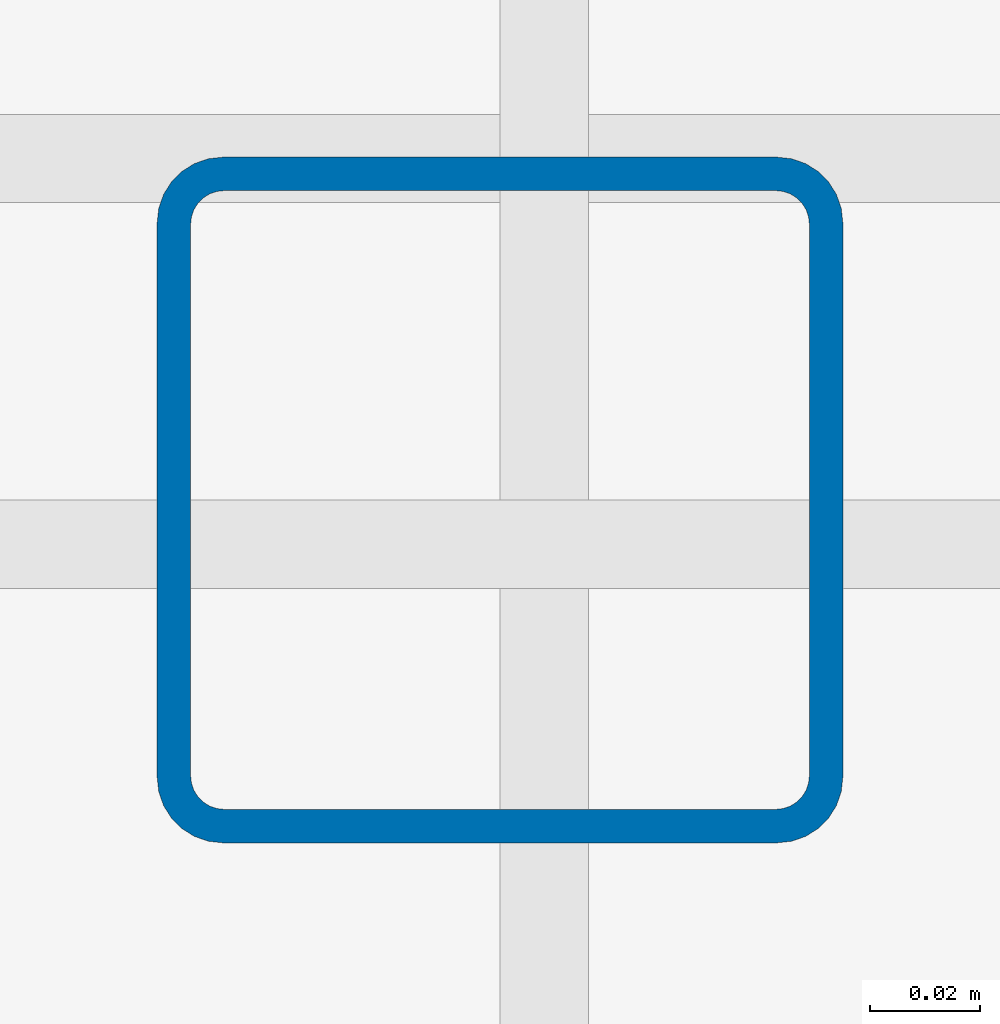
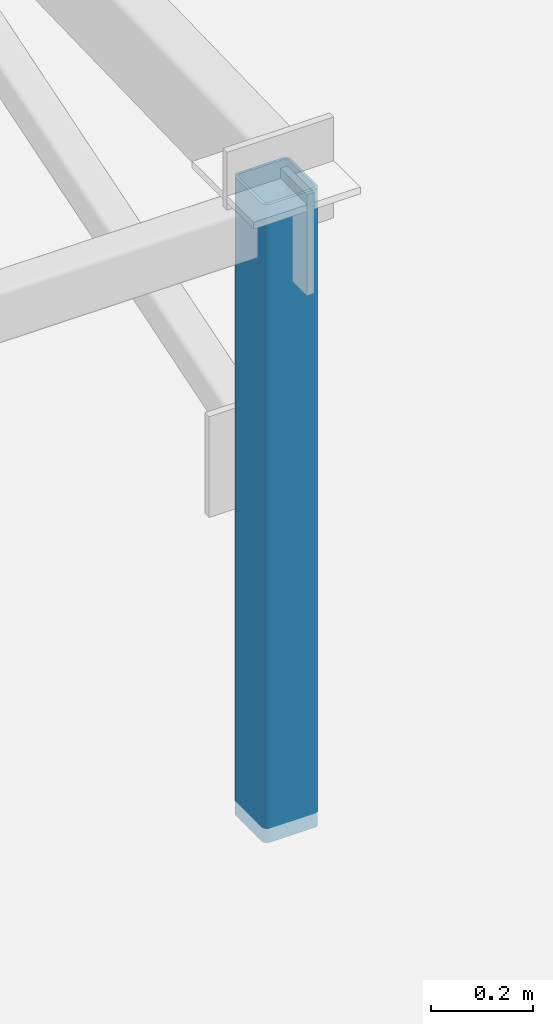
# One storey, part 2 of 43: 1 column.
"""IFC4 building model written with IfcOpenShell, lengths in metres."""

from ifc_helpers import new_model, si_unit, direction, frame, origin, origin_2d, place, context, subcontext, project, spatial, hollow_rectangle, extrude, material, material_profile, profile_set, type_object, element, save


model = new_model("IFC4")

# Units and contexts
model_context = context("Model", 3, precision=1e-05, world=origin(), true_north=direction((0.0, 1.0)))
body_context = subcontext(model_context, "Body", "Model", "MODEL_VIEW")
ifc_project = project(units=[si_unit("LENGTHUNIT", "METRE"), si_unit("AREAUNIT", "SQUARE_METRE"), si_unit("VOLUMEUNIT", "CUBIC_METRE"), si_unit("PLANEANGLEUNIT", "RADIAN"), si_unit("MASSUNIT", "GRAM", prefix="KILO")], contexts=[model_context])

# Site, building, storey
site_placement = place(None, origin())
site = spatial("IfcSite", under=ifc_project, at=site_placement, CompositionType="ELEMENT")
building_placement = place(site_placement, origin())
building = spatial("IfcBuilding", under=site, at=building_placement, Name="Ochrevale Crest", CompositionType="ELEMENT")
storey_placement = place(building_placement, frame((0.0, 0.0, 30.75)))
storey = spatial("IfcBuildingStorey", under=building, at=storey_placement, Name="L09", CompositionType="ELEMENT", Elevation=30.75)

# Column
ifc_material = material(Name="Steel S355", Category="steel")
ifc_material_profile = material_profile(ifc_material, hollow_rectangle(XDim=0.125, YDim=0.125, WallThickness=0.006103515625, InnerFilletRadius=0.006103515625, OuterFilletRadius=0.011962890625, at=origin_2d()), Name="125x125x6.0SHS")
ifc_profile_set = profile_set([ifc_material_profile], Name="Steel S355")
column_type = type_object("IfcColumnType", Name="COL-SHS125", PredefinedType="COLUMN", material=ifc_profile_set)
column_placement = place(storey_placement, frame((28.800048828125, 21.60009765625, 0.0), z_axis=(0.0, 0.0, 1.0), x_axis=(1.0, 0.0, 0.0)))
element("IfcColumn", 1, at=column_placement, inside=storey, type_object=column_type, Name="Block A solar-frame support post", PredefinedType="COLUMN", context=body_context, shape_type="SweptSolid", body=[
    extrude(hollow_rectangle(XDim=0.125, YDim=0.125, WallThickness=0.006103515625, InnerFilletRadius=0.006103515625, OuterFilletRadius=0.011962890625, at=origin_2d()), origin(), (0.0, 0.0, 1.0), 1.52001953125),
])

save(model, "model.ifc")
